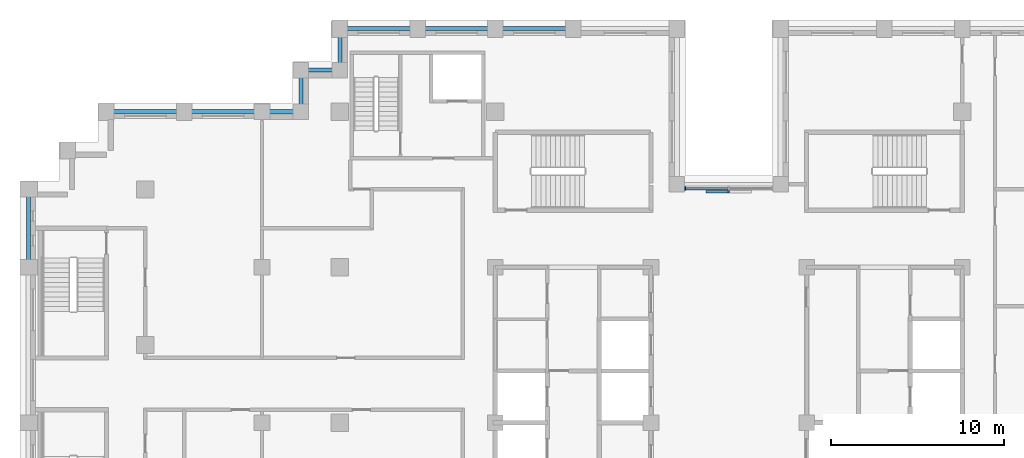
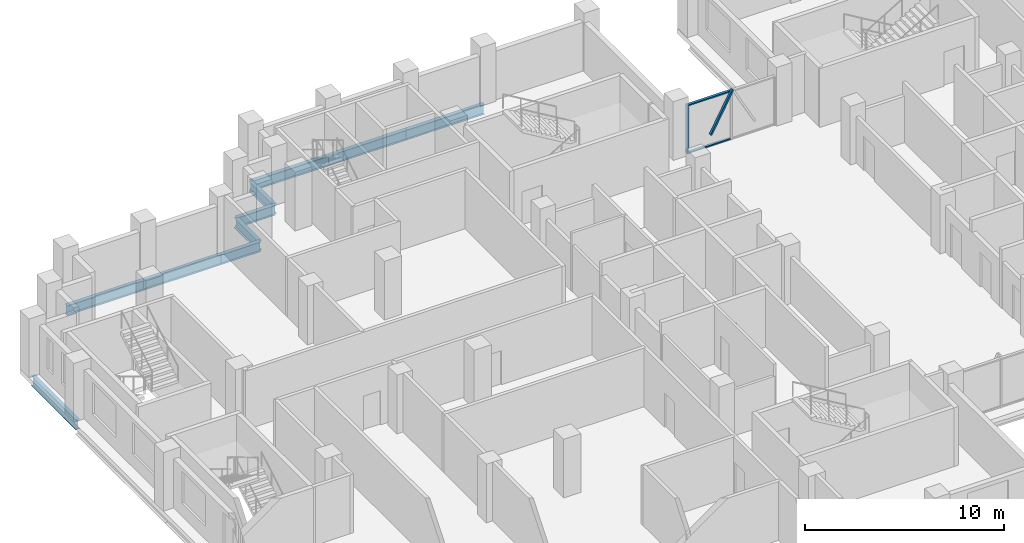
# One storey, part 3 of 15: 10 beams, 4 members, 1 element without a shape of its own.
"""IFC4 building model written with IfcOpenShell, lengths in metres."""

import ifcopenshell
import ifcopenshell.guid

model = None  # the IFC model being written
_history = None  # IfcOwnerHistory: only IFC2X3 demands one
_inside = {}  # id of a spatial element -> (the spatial element, [elements in it])
_under = {}  # id of a project, library or spatial element -> (it, [spatial elements below it])
_declared = {}  # id of a project -> (the project, [libraries it declares])
_typed = {}  # id of a type object -> (the type object, [elements of that type])
_made_of = {}  # id of a material, layer set ... -> (it, [elements and type objects made of it])


def new_model(schema):
    """Start an empty IFC model of exactly this schema.

    Asked for "IFC4X3", IfcOpenShell would pick the latest addendum, in which some entities
    have other attributes; the version numbers below select the first issue.
    IFC2X3 requires an IfcOwnerHistory on every rooted entity: one is made here for all.
    """
    global model, _history
    if schema == "IFC4X3":
        model = ifcopenshell.file(schema_version=(4, 3, 0, 0))
    else:
        model = ifcopenshell.file(schema=schema)
    _inside.clear()
    _under.clear()
    _declared.clear()
    _typed.clear()
    _made_of.clear()
    _history = None
    if model.schema == "IFC2X3":
        org = make("IfcOrganization", Name="unknown")
        user = make(
            "IfcPersonAndOrganization",
            ThePerson=make("IfcPerson", FamilyName="unknown"),
            TheOrganization=org,
        )
        app = make(
            "IfcApplication",
            ApplicationDeveloper=org,
            Version="unknown",
            ApplicationFullName="unknown",
            ApplicationIdentifier="unknown",
        )
        _history = make(
            "IfcOwnerHistory",
            OwningUser=user,
            OwningApplication=app,
            ChangeAction="ADDED",
            CreationDate=0,
        )
    return model


def make(cls, **values):
    """One entity of the class cls with the attributes given. An attribute that is None is left unset."""
    return model.create_entity(
        cls, **{name: value for name, value in values.items() if value is not None}
    )


def rooted(cls, **values):
    """An entity with a GlobalId (a new one), such as an element, a storey or a relation."""
    return make(cls, GlobalId=ifcopenshell.guid.new(), OwnerHistory=_history, **values)


def si_unit(unit_type, name, prefix=None):
    """IfcSIUnit, for example si_unit("LENGTHUNIT", "METRE", prefix="MILLI")."""
    return make("IfcSIUnit", UnitType=unit_type, Prefix=prefix, Name=name)


def assignment(units):
    """IfcUnitAssignment: the units of a project."""
    return None if units is None else make("IfcUnitAssignment", Units=units)


def point(xyz):
    """IfcCartesianPoint."""
    return None if xyz is None else make("IfcCartesianPoint", Coordinates=xyz)


def direction(xyz):
    """IfcDirection."""
    return None if xyz is None else make("IfcDirection", DirectionRatios=xyz)


def frame(location, z_axis=None, x_axis=None):
    """IfcAxis2Placement3D, a coordinate frame: its origin and axes. An axis left out is left unset."""
    return make(
        "IfcAxis2Placement3D",
        Location=point(location),
        Axis=direction(z_axis),
        RefDirection=direction(x_axis),
    )


def frame_2d(location, x_axis=None):
    """IfcAxis2Placement2D, a coordinate frame in the plane: its origin and x axis."""
    return make(
        "IfcAxis2Placement2D", Location=point(location), RefDirection=direction(x_axis)
    )


def origin():
    """The frame at (0, 0, 0) with its axes left unset."""
    return frame((0.0, 0.0, 0.0))


def origin_2d():
    """The frame at (0, 0) in the plane with its x axis left unset."""
    return frame_2d((0.0, 0.0))


def place(relative_to, where):
    """IfcLocalPlacement: puts the frame where relative to a parent placement (None: the world)."""
    return make(
        "IfcLocalPlacement", PlacementRelTo=relative_to, RelativePlacement=where
    )


def context(
    kind, dimensions, precision=None, world=None, true_north=None, identifier=None
):
    """IfcGeometricRepresentationContext, for example the 3D "Model" context."""
    return make(
        "IfcGeometricRepresentationContext",
        ContextIdentifier=identifier,
        ContextType=kind,
        CoordinateSpaceDimension=dimensions,
        Precision=precision,
        WorldCoordinateSystem=world,
        TrueNorth=true_north,
    )


def subcontext(parent, identifier, kind, view, scale=None):
    """IfcGeometricRepresentationSubContext, for example "Body" below "Model"."""
    return make(
        "IfcGeometricRepresentationSubContext",
        ContextIdentifier=identifier,
        ContextType=kind,
        ParentContext=parent,
        TargetScale=scale,
        TargetView=view,
    )


def project(units=None, contexts=None):
    """IfcProject with its units and contexts."""
    return rooted(
        "IfcProject",
        Name="project",
        RepresentationContexts=contexts,
        UnitsInContext=assignment(units),
    )


def spatial(cls, under=None, at=None, **own):
    """A site, building, storey or space (cls), placed at a placement, below another one or the project."""
    s = rooted(cls, ObjectPlacement=at, **own)
    if under is not None:
        _under.setdefault(under.id(), (under, []))[1].append(s)
    return s


def profile(cls, at=None, kind="AREA", **sizes):
    """A parametric profile (cls). Its sizes go by their IFC names, for example OverallWidth=200.0."""
    return make(cls, ProfileType=kind, Position=at, **sizes)


def rectangle(**sizes):
    """IfcRectangleProfileDef."""
    return profile("IfcRectangleProfileDef", **sizes)


def i_section(**sizes):
    """IfcIShapeProfileDef."""
    return profile("IfcIShapeProfileDef", **sizes)


def extrude(swept, where, along, depth):
    """IfcExtrudedAreaSolid: the profile swept, set in the frame where, extruded along a direction by depth."""
    return make(
        "IfcExtrudedAreaSolid",
        SweptArea=swept,
        Position=where,
        ExtrudedDirection=direction(along),
        Depth=depth,
    )


def shape(context_of_items, identifier, shape_type, items):
    """IfcShapeRepresentation: the items that make up one representation, for example the "Body"."""
    return make(
        "IfcShapeRepresentation",
        ContextOfItems=context_of_items,
        RepresentationIdentifier=identifier,
        RepresentationType=shape_type,
        Items=items,
    )


def material(Name=None, Category=None):
    """IfcMaterial."""
    return make("IfcMaterial", Name=Name, Category=Category)


def layer(
    of_material, thickness, ventilated=None, Name=None, Category=None, Priority=None
):
    """IfcMaterialLayer: one layer of a wall or slab, of a material (None: an air gap)."""
    return make(
        "IfcMaterialLayer",
        Material=of_material,
        LayerThickness=thickness,
        IsVentilated=ventilated,
        Name=Name,
        Category=Category,
        Priority=Priority,
    )


def layer_set(layers, Name=None):
    """IfcMaterialLayerSet."""
    return make("IfcMaterialLayerSet", MaterialLayers=layers, LayerSetName=Name)


def material_profile(
    of_material, cross_section, Name=None, Category=None, Priority=None
):
    """IfcMaterialProfile: a cross section and its material."""
    return make(
        "IfcMaterialProfile",
        Name=Name,
        Material=of_material,
        Profile=cross_section,
        Priority=Priority,
        Category=Category,
    )


def profile_set(profiles, Name=None, composite=None):
    """IfcMaterialProfileSet."""
    return make(
        "IfcMaterialProfileSet",
        Name=Name,
        MaterialProfiles=profiles,
        CompositeProfile=composite,
    )


def made_of(thing, what):
    """Note that an element or type object is made of a material, layer set ...; save() writes the relation."""
    if what is not None:
        _made_of.setdefault(what.id(), (what, []))[1].append(thing)
    return thing


def type_object(cls, material=None, **own):
    """A type object (cls), such as IfcWallType, which elements share."""
    return made_of(rooted(cls, **own), material)


def element(
    cls,
    number,
    at=None,
    inside=None,
    cuts=None,
    type_object=None,
    material=None,
    context=None,
    identifier="Body",
    shape_type=None,
    held_by="IfcProductDefinitionShape",
    body=None,
    shapes=None,
    **own,
):
    """One element of the class cls, such as IfcWall. Its Tag is "e" and its number.

    at: its placement. inside: the storey or other place that contains it. cuts: it is an
    opening in that element (IfcRelVoidsElement). A single representation is given by context,
    identifier, shape_type and body (its items); several are given by shapes. held_by: the class
    of the entity that holds the representations. save() writes the other relations.
    """
    e = rooted(cls, Tag="e%d" % number, ObjectPlacement=at, **own)
    if body is not None:
        shapes = [shape(context, identifier, shape_type, body)]
    if shapes is not None:
        e.Representation = make(held_by, Representations=shapes)
    if inside is not None:
        _inside.setdefault(inside.id(), (inside, []))[1].append(e)
    if cuts is not None:
        rooted(
            "IfcRelVoidsElement", RelatingBuildingElement=cuts, RelatedOpeningElement=e
        )
    if type_object is not None:
        _typed.setdefault(type_object.id(), (type_object, []))[1].append(e)
    return made_of(e, material)


def aggregate(whole, parts):
    """IfcRelAggregates: a whole, such as a stair, and the parts it consists of."""
    return rooted("IfcRelAggregates", RelatingObject=whole, RelatedObjects=parts)


def save(model, path):
    """Write the relations noted so far, then the file.

    IfcRelAggregates (storeys below a building ...), IfcRelContainedInSpatialStructure (elements
    in a storey), IfcRelDefinesByType, IfcRelAssociatesMaterial and IfcRelDeclares: one each for
    every whole, place, type object, material and project.
    """
    for whole, parts in _under.values():
        aggregate(whole, parts)
    for where, things in _inside.values():
        rooted(
            "IfcRelContainedInSpatialStructure",
            RelatedElements=things,
            RelatingStructure=where,
        )
    for kind, things in _typed.values():
        rooted("IfcRelDefinesByType", RelatedObjects=things, RelatingType=kind)
    for what, things in _made_of.values():
        rooted("IfcRelAssociatesMaterial", RelatedObjects=things, RelatingMaterial=what)
    for by, libraries in _declared.values():
        rooted("IfcRelDeclares", RelatingContext=by, RelatedDefinitions=libraries)
    model.write(path)


model = new_model("IFC4")

# Units and contexts
model_context = context("Model", 3, precision=1e-05, world=origin(), true_north=direction((0.0, 1.0)))
body_context = subcontext(model_context, "Body", "Model", "MODEL_VIEW")
ifc_project = project(units=[si_unit("LENGTHUNIT", "METRE"), si_unit("AREAUNIT", "SQUARE_METRE"), si_unit("VOLUMEUNIT", "CUBIC_METRE"), si_unit("PLANEANGLEUNIT", "RADIAN"), si_unit("MASSUNIT", "GRAM", prefix="KILO")], contexts=[model_context])

# Site, building, storey
site_placement = place(None, origin())
site = spatial("IfcSite", under=ifc_project, at=site_placement, CompositionType="ELEMENT")
building_placement = place(site_placement, origin())
building = spatial("IfcBuilding", under=site, at=building_placement, Name="Corbelhall Arena Tower", CompositionType="ELEMENT")
storey_placement = place(building_placement, frame((0.0, 0.0, 232.0)))
storey = spatial("IfcBuildingStorey", under=building, at=storey_placement, Name="L49", CompositionType="ELEMENT", Elevation=232.0)

# Curtain wall, members
ifc_material_1 = material(Name="Aluminium black anodised", Category="aluminium")
ifc_layer = layer(ifc_material_1, 0.199951171875)
ifc_layer_set = layer_set([ifc_layer], Name="EV-CW1 Slot back wall")
curtain_wall_type = type_object("IfcCurtainWallType", Name="EV-CW1 Slot back wall", PredefinedType="NOTDEFINED", material=ifc_layer_set)
curtain_wall_placement = place(storey_placement, origin())
curtain_wall = element("IfcCurtainWall", 1, at=curtain_wall_placement, inside=storey, type_object=curtain_wall_type, Name="Curtain wall CW1", PredefinedType="NOTDEFINED")
ifc_material_profile_1 = material_profile(ifc_material_1, rectangle(XDim=0.199951171875, YDim=0.074951171875, at=origin_2d()))
ifc_profile_set_1 = profile_set([ifc_material_profile_1], Name="Aluminium black anodised")
member_type_1 = type_object("IfcMemberType", Name="EV-CW1-MULLION", PredefinedType="MULLION", material=ifc_profile_set_1)
member_1_placement = place(storey_placement, frame((-2.512451171875, 13.550048828125, 0.0), z_axis=(0.0, 0.0, 1.0), x_axis=(0.0, -1.0, 0.0)))
member_1 = element("IfcMember", 2, at=member_1_placement, type_object=member_type_1, Name="CW1 mullion 3", PredefinedType="MULLION", context=body_context, shape_type="SweptSolid", body=[
    extrude(rectangle(XDim=0.199951171875, YDim=0.074951171875, at=origin_2d()), origin(), (0.0, 0.0, 1.0), 2.99951171875),
])
ifc_material_profile_2 = material_profile(ifc_material_1, rectangle(XDim=0.14990234375, YDim=0.074951171875, at=origin_2d()))
ifc_profile_set_2 = profile_set([ifc_material_profile_2], Name="Aluminium black anodised")
member_type_2 = type_object("IfcMemberType", Name="EV-CW1-TRANSOM", PredefinedType="USERDEFINED", material=ifc_profile_set_2)
member_2_placement = place(storey_placement, frame((-0.03759765625, 13.550048828125, 0.03759765625), z_axis=(-1.0, 0.0, 0.0), x_axis=(0.0, -1.0, 0.0)))
member_2 = element("IfcMember", 3, at=member_2_placement, type_object=member_type_2, Name="CW1 transom 2.1", ObjectType="transom", PredefinedType="USERDEFINED", context=body_context, shape_type="SweptSolid", body=[
    extrude(rectangle(XDim=0.14990234375, YDim=0.074951171875, at=origin_2d()), origin(), (0.0, 0.0, 1.0), 2.4375),
])
member_3_placement = place(storey_placement, frame((-0.03759765625, 13.550048828125, 2.962158203125), z_axis=(-1.0, 0.0, 0.0), x_axis=(0.0, -1.0, 0.0)))
member_3 = element("IfcMember", 4, at=member_3_placement, type_object=member_type_2, Name="CW1 transom 2.2", ObjectType="transom", PredefinedType="USERDEFINED", context=body_context, shape_type="SweptSolid", body=[
    extrude(rectangle(XDim=0.14990234375, YDim=0.074951171875, at=origin_2d()), origin(), (0.0, 0.0, 1.0), 2.4375),
])
aggregate(curtain_wall, [member_1, member_2, member_3])

# Member
ifc_material_profile_3 = material_profile(ifc_material_1, rectangle(XDim=0.159912109375, YDim=0.10009765625, at=origin_2d()))
ifc_profile_set_3 = profile_set([ifc_material_profile_3], Name="Aluminium black anodised")
member_type_3 = type_object("IfcMemberType", Name="EV-TR1 Tracery bar", PredefinedType="USERDEFINED", material=ifc_profile_set_3)
member_4_placement = place(storey_placement, frame((0.0, 13.3701171875, 3.14990234375), z_axis=(-0.478030960994, 0.0, -0.878342985588), x_axis=(0.0, -1.0, 0.0)))
element("IfcMember", 5, at=member_4_placement, inside=storey, type_object=member_type_3, Name="Tracery bar", ObjectType="TRACERY", PredefinedType="USERDEFINED", context=body_context, shape_type="SweptSolid", body=[
    extrude(rectangle(XDim=0.159912109375, YDim=0.10009765625, at=origin_2d()), origin(), (0.0, 0.0, 1.0), 2.6669921875),
])

# Beams
ifc_material_2 = material(Name="Steel ASTM A992 Gr50", Category="steel")
ifc_material_profile_4 = material_profile(ifc_material_2, i_section(OverallWidth=0.228271484375, OverallDepth=0.607177734375, WebThickness=0.01123046875, FlangeThickness=0.017333984375, at=origin_2d()))
ifc_profile_set_4 = profile_set([ifc_material_profile_4], Name="Steel ASTM A992 Gr50")
beam_type = type_object("IfcBeamType", Name="ST-SPANDREL-W24x76", PredefinedType="SPANDREL", material=ifc_profile_set_4)
for number, where, z_axis, x_axis, name in (
    (6, (-40.5, 9.0, -0.58349609375), (0.0, 1.0, 0.0), (-1.0, 0.0, 0.0), "Beam SP 2"),
    (7, (-31.5, 18.0, -0.58349609375), (1.0, 0.0, 0.0), (0.0, 1.0, 0.0), "Beam SP 5"),
    (8, (-36.0, 18.0, -0.58349609375), (1.0, 0.0, 0.0), (0.0, 1.0, 0.0), "Beam SP 6"),
    (9, (-13.5, 22.800048828125, -0.58349609375), (1.0, 0.0, 0.0), (0.0, 1.0, 0.0), "Beam SP 20"),
    (10, (-18.0, 22.800048828125, -0.58349609375), (1.0, 0.0, 0.0), (0.0, 1.0, 0.0), "Beam SP 21"),
    (11, (-22.5, 22.800048828125, -0.58349609375), (1.0, 0.0, 0.0), (0.0, 1.0, 0.0), "Beam SP 22"),
):
    element("IfcBeam", number, at=place(storey_placement, frame(where, z_axis=z_axis, x_axis=x_axis)), inside=storey, type_object=beam_type, Name=name, PredefinedType="SPANDREL", context=body_context, shape_type="SweptSolid", body=[
        extrude(i_section(OverallWidth=0.228271484375, OverallDepth=0.607177734375, WebThickness=0.01123046875, FlangeThickness=0.017333984375, at=origin_2d()), origin(), (0.0, 0.0, 1.0), 4.5),
    ])
beam_1_placement = place(storey_placement, frame((-27.0, 18.0, -0.58349609375), z_axis=(1.0, 0.0, 0.0), x_axis=(0.0, 1.0, 0.0)))
element("IfcBeam", 12, at=beam_1_placement, inside=storey, type_object=beam_type, Name="Beam SP 33", PredefinedType="SPANDREL", context=body_context, shape_type="SweptSolid", body=[
    extrude(i_section(OverallWidth=0.228271484375, OverallDepth=0.607177734375, WebThickness=0.01123046875, FlangeThickness=0.017333984375, at=origin_2d()), origin(), (0.0, 0.0, 1.0), 2.25),
])
beam_2_placement = place(storey_placement, frame((-22.5, 20.39990234375, -0.58349609375), z_axis=(0.0, 1.0, 0.0), x_axis=(-1.0, 0.0, 0.0)))
element("IfcBeam", 13, at=beam_2_placement, inside=storey, type_object=beam_type, Name="Beam SP 42", PredefinedType="SPANDREL", context=body_context, shape_type="SweptSolid", body=[
    extrude(i_section(OverallWidth=0.228271484375, OverallDepth=0.607177734375, WebThickness=0.01123046875, FlangeThickness=0.017333984375, at=origin_2d()), origin(), (0.0, 0.0, 1.0), 2.400146484375),
])
beam_3_placement = place(storey_placement, frame((-24.75, 20.39990234375, -0.58349609375), z_axis=(1.0, 0.0, 0.0), x_axis=(0.0, 1.0, 0.0)))
element("IfcBeam", 14, at=beam_3_placement, inside=storey, type_object=beam_type, Name="Beam SP 43", PredefinedType="SPANDREL", context=body_context, shape_type="SweptSolid", body=[
    extrude(i_section(OverallWidth=0.228271484375, OverallDepth=0.607177734375, WebThickness=0.01123046875, FlangeThickness=0.017333984375, at=origin_2d()), origin(), (0.0, 0.0, 1.0), 2.25),
])
beam_4_placement = place(storey_placement, frame((-24.75, 18.0, -0.58349609375), z_axis=(0.0, 1.0, 0.0), x_axis=(-1.0, 0.0, 0.0)))
element("IfcBeam", 15, at=beam_4_placement, inside=storey, type_object=beam_type, Name="Beam SP 44", PredefinedType="SPANDREL", context=body_context, shape_type="SweptSolid", body=[
    extrude(i_section(OverallWidth=0.228271484375, OverallDepth=0.607177734375, WebThickness=0.01123046875, FlangeThickness=0.017333984375, at=origin_2d()), origin(), (0.0, 0.0, 1.0), 2.39990234375),
])

save(model, "model.ifc")
